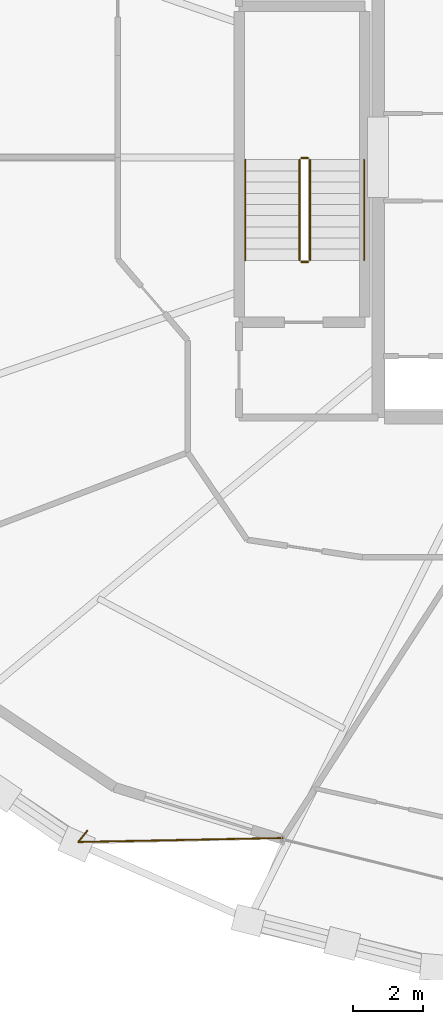
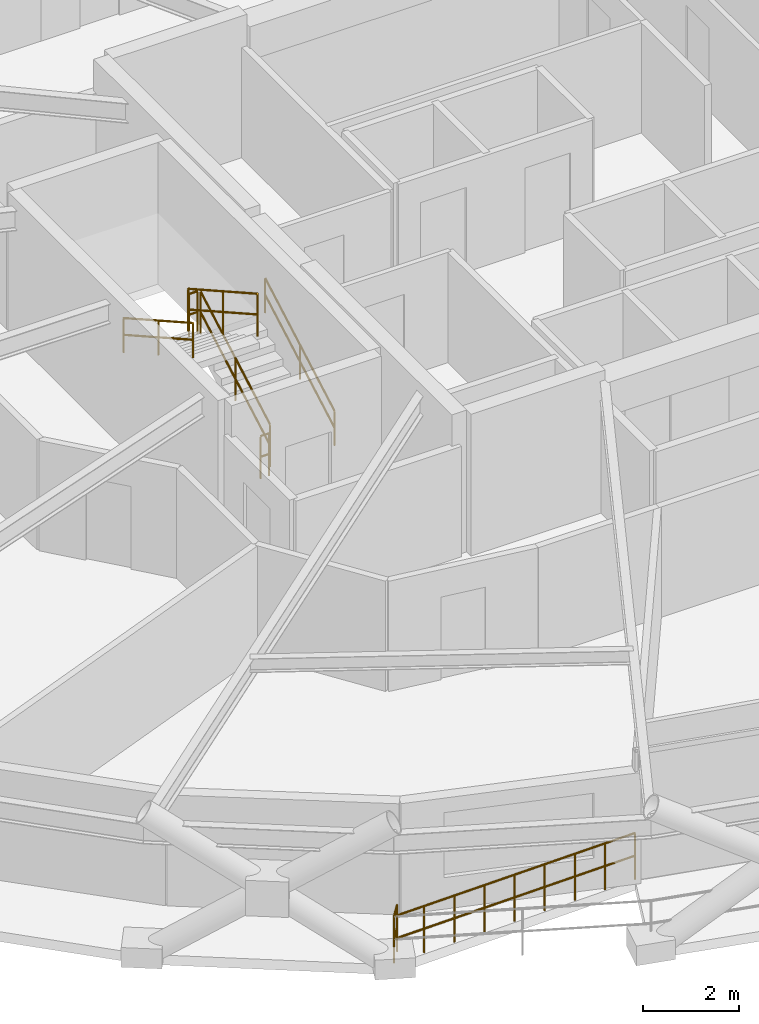
# One storey, part 19 of 21: 7 railings.
"""IFC4 building model written with IfcOpenShell, lengths in metres."""

from ifc_helpers import new_model, si_unit, direction, frame, origin, origin_2d, place, context, subcontext, project, spatial, circle, extrude, material, type_object, element, save


model = new_model("IFC4")

# Units and contexts
model_context = context("Model", 3, precision=1e-05, world=origin(), true_north=direction((0.0, 1.0)))
body_context = subcontext(model_context, "Body", "Model", "MODEL_VIEW")
ifc_project = project(units=[si_unit("LENGTHUNIT", "METRE"), si_unit("AREAUNIT", "SQUARE_METRE"), si_unit("VOLUMEUNIT", "CUBIC_METRE"), si_unit("PLANEANGLEUNIT", "RADIAN"), si_unit("MASSUNIT", "GRAM", prefix="KILO")], contexts=[model_context])

# Site, building, storey
site_placement = place(None, origin())
site = spatial("IfcSite", under=ifc_project, at=site_placement, CompositionType="ELEMENT")
building_placement = place(site_placement, origin())
building = spatial("IfcBuilding", under=site, at=building_placement, Name="Veldorina Hangang Commons", CompositionType="ELEMENT")
storey_placement = place(building_placement, frame((0.0, 0.0, 135.199951171875)))
storey = spatial("IfcBuildingStorey", under=building, at=storey_placement, Name="L34", CompositionType="ELEMENT", Elevation=135.199951171875)

# Railings
ifc_material_1 = material(Name="Glass Laminated Safety Balustrade", Category="glass")
railing_type_1 = type_object("IfcRailingType", Name="RL-BAL-LOGGIA", PredefinedType="BALUSTRADE", material=ifc_material_1)
railing_1_placement = place(storey_placement, frame((16.47900390625, 4.724365234375, 0.0)))
element("IfcRailing", 1, at=railing_1_placement, inside=storey, type_object=railing_type_1, Name="L34 sky-garden loggia end balustrade A", PredefinedType="BALUSTRADE", context=body_context, shape_type="SweptSolid", body=[
    extrude(circle(Radius=0.02392578125, at=origin_2d()), frame((0.0, 0.0, 1.17578125), z_axis=(-0.626820042981, -0.779164060848, 0.0), x_axis=(0.779164060848, -0.626820042981, 0.0)), (0.0, 0.0, 1.0), 0.419921875),
    extrude(circle(Radius=0.02392578125, at=origin_2d()), frame((0.0, 0.0, 0.60009765625), z_axis=(-0.626820042981, -0.779164060848, 0.0), x_axis=(0.779164060848, -0.626820042981, 0.0)), (0.0, 0.0, 1.0), 0.419921875),
    extrude(circle(Radius=0.02392578125, at=origin_2d()), frame((-0.26318359375, -0.3271484375, 1.17578125), z_axis=(0.999804235105, 0.019786143308, 0.0), x_axis=(-0.019786143308, 0.999804235105, 0.0)), (0.0, 0.0, 1.0), 5.861083984375),
    extrude(circle(Radius=0.02392578125, at=origin_2d()), frame((-0.26318359375, -0.3271484375, 0.60009765625), z_axis=(0.999804235105, 0.019786143308, 0.0), x_axis=(-0.019786143308, 0.999804235105, 0.0)), (0.0, 0.0, 1.0), 5.861083984375),
    extrude(circle(Radius=0.02099609375, at=origin_2d()), origin(), (0.0, 0.0, 1.0), 1.15185546875),
    extrude(circle(Radius=0.02099609375, at=origin_2d()), frame((-0.26318359375, -0.3271484375, 0.0)), (0.0, 0.0, 1.0), 1.15185546875),
    extrude(circle(Radius=0.02099609375, at=origin_2d()), frame((0.46923828125, -0.312744140625, 0.0)), (0.0, 0.0, 1.0), 1.15185546875),
    extrude(circle(Radius=0.02099609375, at=origin_2d()), frame((1.20166015625, -0.298095703125, 0.0)), (0.0, 0.0, 1.0), 1.15185546875),
    extrude(circle(Radius=0.02099609375, at=origin_2d()), frame((1.934326171875, -0.28369140625, 0.0)), (0.0, 0.0, 1.0), 1.15185546875),
    extrude(circle(Radius=0.02099609375, at=origin_2d()), frame((2.666748046875, -0.26904296875, 0.0)), (0.0, 0.0, 1.0), 1.15185546875),
    extrude(circle(Radius=0.02099609375, at=origin_2d()), frame((3.399169921875, -0.254638671875, 0.0)), (0.0, 0.0, 1.0), 1.15185546875),
    extrude(circle(Radius=0.02099609375, at=origin_2d()), frame((4.1318359375, -0.240234375, 0.0)), (0.0, 0.0, 1.0), 1.15185546875),
    extrude(circle(Radius=0.02099609375, at=origin_2d()), frame((4.8642578125, -0.2255859375, 0.0)), (0.0, 0.0, 1.0), 1.15185546875),
    extrude(circle(Radius=0.02099609375, at=origin_2d()), frame((5.5966796875, -0.211181640625, 0.0)), (0.0, 0.0, 1.0), 1.15185546875),
])
ifc_material_2 = material(Name="Steel Painted Balustrade", Category="steel")
railing_type_2 = type_object("IfcRailingType", Name="RL-GRD-STAIR", PredefinedType="GUARDRAIL", material=ifc_material_2)
railing_2_placement = place(storey_placement, frame((22.85009765625, 21.050048828125, 0.179931640625)))
element("IfcRailing", 2, at=railing_2_placement, inside=storey, type_object=railing_type_2, Name="L34 ST-1 stair guard 1", PredefinedType="GUARDRAIL", context=body_context, shape_type="SweptSolid", body=[
    extrude(circle(Radius=0.02392578125, at=origin_2d()), frame((0.0, 0.0, 1.076171875), z_axis=(0.0, 0.87155185771, 0.490303333991), x_axis=(-1.0, 0.0, 0.0)), (0.0, 0.0, 1.0), 3.30419921875),
    extrude(circle(Radius=0.02392578125, at=origin_2d()), frame((0.0, 0.0, 0.550048828125), z_axis=(0.0, 0.87155185771, 0.490303333991), x_axis=(-1.0, 0.0, 0.0)), (0.0, 0.0, 1.0), 3.30419921875),
    extrude(circle(Radius=0.02099609375, at=origin_2d()), origin(), (0.0, 0.0, 1.0), 1.052001953125),
    extrude(circle(Radius=0.02099609375, at=origin_2d()), frame((0.0, 1.43994140625, 0.81005859375)), (0.0, 0.0, 1.0), 1.052001953125),
    extrude(circle(Radius=0.02099609375, at=origin_2d()), frame((0.0, 2.8798828125, 1.6201171875)), (0.0, 0.0, 1.0), 1.052001953125),
])
railing_3_placement = place(storey_placement, frame((22.800048828125, 23.97998046875, 1.800048828125)))
element("IfcRailing", 3, at=railing_3_placement, inside=storey, type_object=railing_type_2, Name="L34 ST-1 stair guard 2", PredefinedType="GUARDRAIL", context=body_context, shape_type="SweptSolid", body=[
    extrude(circle(Radius=0.02392578125, at=origin_2d()), frame((0.0, 0.0, 1.076171875), z_axis=(-1.0, 0.0, 0.0), x_axis=(0.0, -1.0, 0.0)), (0.0, 0.0, 1.0), 0.199951171875),
    extrude(circle(Radius=0.02392578125, at=origin_2d()), frame((0.0, 0.0, 0.550048828125), z_axis=(-1.0, 0.0, 0.0), x_axis=(0.0, -1.0, 0.0)), (0.0, 0.0, 1.0), 0.199951171875),
    extrude(circle(Radius=0.02099609375, at=origin_2d()), origin(), (0.0, 0.0, 1.0), 1.052001953125),
    extrude(circle(Radius=0.02099609375, at=origin_2d()), frame((-0.199951171875, 0.0, 0.0)), (0.0, 0.0, 1.0), 1.052001953125),
])
railing_4_placement = place(storey_placement, frame((22.550048828125, 23.929931640625, 1.97998046875)))
element("IfcRailing", 4, at=railing_4_placement, inside=storey, type_object=railing_type_2, Name="L34 ST-1 stair guard 3", PredefinedType="GUARDRAIL", context=body_context, shape_type="SweptSolid", body=[
    extrude(circle(Radius=0.02392578125, at=origin_2d()), frame((0.0, 0.0, 1.076171875), z_axis=(0.0, -0.87155185771, 0.490303333991), x_axis=(1.0, 0.0, 0.0)), (0.0, 0.0, 1.0), 3.30419921875),
    extrude(circle(Radius=0.02392578125, at=origin_2d()), frame((0.0, 0.0, 0.550048828125), z_axis=(0.0, -0.87155185771, 0.490303333991), x_axis=(1.0, 0.0, 0.0)), (0.0, 0.0, 1.0), 3.30419921875),
    extrude(circle(Radius=0.02099609375, at=origin_2d()), origin(), (0.0, 0.0, 1.0), 1.052001953125),
    extrude(circle(Radius=0.02099609375, at=origin_2d()), frame((0.0, -1.43994140625, 0.81005859375)), (0.0, 0.0, 1.0), 1.052001953125),
    extrude(circle(Radius=0.02099609375, at=origin_2d()), frame((0.0, -2.8798828125, 1.6201171875)), (0.0, 0.0, 1.0), 1.052001953125),
])
railing_5_placement = place(storey_placement, frame((22.800048828125, 21.0, 0.0)))
element("IfcRailing", 5, at=railing_5_placement, inside=storey, type_object=railing_type_2, Name="L34 ST-1 stair guard 4", PredefinedType="GUARDRAIL", context=body_context, shape_type="SweptSolid", body=[
    extrude(circle(Radius=0.02392578125, at=origin_2d()), frame((0.0, 0.0, 1.076171875), z_axis=(-1.0, 0.0, 0.0), x_axis=(0.0, -1.0, 0.0)), (0.0, 0.0, 1.0), 0.199951171875),
    extrude(circle(Radius=0.02392578125, at=origin_2d()), frame((0.0, 0.0, 0.550048828125), z_axis=(-1.0, 0.0, 0.0), x_axis=(0.0, -1.0, 0.0)), (0.0, 0.0, 1.0), 0.199951171875),
    extrude(circle(Radius=0.02099609375, at=origin_2d()), origin(), (0.0, 0.0, 1.0), 1.052001953125),
    extrude(circle(Radius=0.02099609375, at=origin_2d()), frame((-0.199951171875, 0.0, 0.0)), (0.0, 0.0, 1.0), 1.052001953125),
])
ifc_material_3 = material(Name="Stainless Steel Brushed 316", Category="steel")
railing_type_3 = type_object("IfcRailingType", Name="RL-HND-STAIR", PredefinedType="HANDRAIL", material=ifc_material_3)
railing_6_placement = place(storey_placement, frame((24.39990234375, 21.050048828125, 0.179931640625)))
element("IfcRailing", 6, at=railing_6_placement, inside=storey, type_object=railing_type_3, Name="L34 ST-1 stair handrail 1", PredefinedType="HANDRAIL", context=body_context, shape_type="SweptSolid", body=[
    extrude(circle(Radius=0.02392578125, at=origin_2d()), frame((0.0, 0.0, 0.8759765625), z_axis=(0.0, 0.87155185771, 0.490303333991), x_axis=(-1.0, 0.0, 0.0)), (0.0, 0.0, 1.0), 3.30419921875),
    extrude(circle(Radius=0.02392578125, at=origin_2d()), frame((0.0, 0.0, 0.449951171875), z_axis=(0.0, 0.87155185771, 0.490303333991), x_axis=(-1.0, 0.0, 0.0)), (0.0, 0.0, 1.0), 3.30419921875),
    extrude(circle(Radius=0.02099609375, at=origin_2d()), origin(), (0.0, 0.0, 1.0), 0.851806640625),
    extrude(circle(Radius=0.02099609375, at=origin_2d()), frame((0.0, 1.43994140625, 0.81005859375)), (0.0, 0.0, 1.0), 0.851806640625),
    extrude(circle(Radius=0.02099609375, at=origin_2d()), frame((0.0, 2.8798828125, 1.6201171875)), (0.0, 0.0, 1.0), 0.851806640625),
])
railing_7_placement = place(storey_placement, frame((21.0, 23.929931640625, 1.97998046875)))
element("IfcRailing", 7, at=railing_7_placement, inside=storey, type_object=railing_type_3, Name="L34 ST-1 stair handrail 2", PredefinedType="HANDRAIL", context=body_context, shape_type="SweptSolid", body=[
    extrude(circle(Radius=0.02392578125, at=origin_2d()), frame((0.0, 0.0, 0.8759765625), z_axis=(0.0, -0.87155185771, 0.490303333991), x_axis=(1.0, 0.0, 0.0)), (0.0, 0.0, 1.0), 3.30419921875),
    extrude(circle(Radius=0.02392578125, at=origin_2d()), frame((0.0, 0.0, 0.449951171875), z_axis=(0.0, -0.87155185771, 0.490303333991), x_axis=(1.0, 0.0, 0.0)), (0.0, 0.0, 1.0), 3.30419921875),
    extrude(circle(Radius=0.02099609375, at=origin_2d()), origin(), (0.0, 0.0, 1.0), 0.851806640625),
    extrude(circle(Radius=0.02099609375, at=origin_2d()), frame((0.0, -1.43994140625, 0.81005859375)), (0.0, 0.0, 1.0), 0.851806640625),
    extrude(circle(Radius=0.02099609375, at=origin_2d()), frame((0.0, -2.8798828125, 1.6201171875)), (0.0, 0.0, 1.0), 0.851806640625),
])

save(model, "model.ifc")
